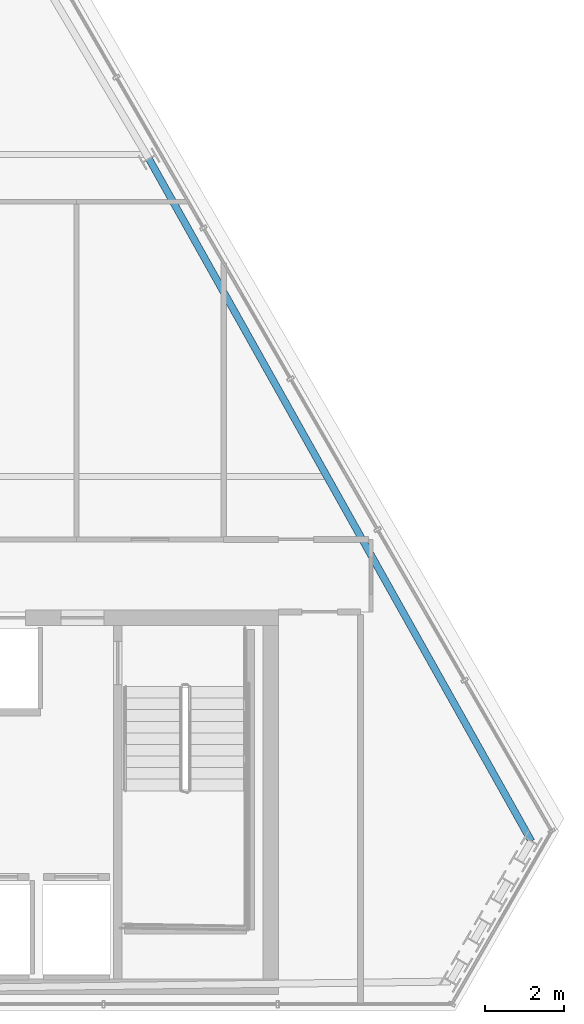
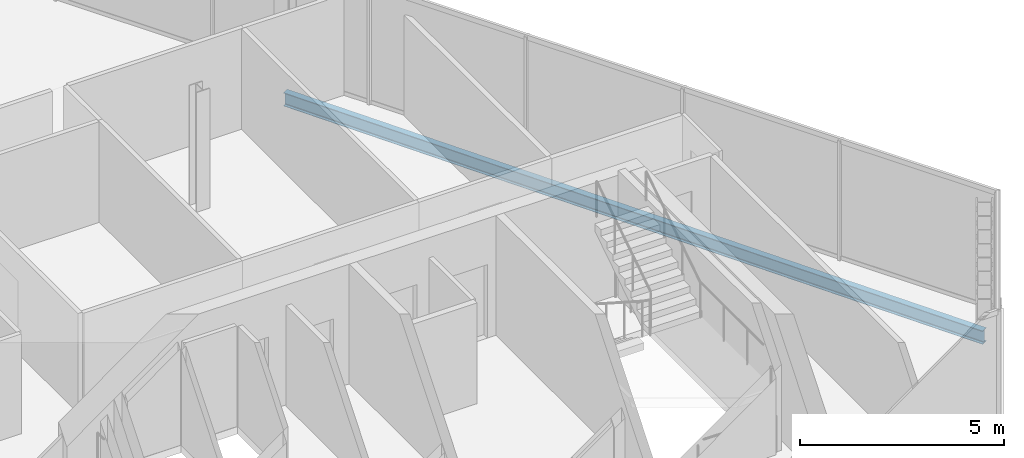
# One storey, part 24 of 35: 1 beam.
"""IFC4 building model written with IfcOpenShell, lengths in metres."""

from ifc_helpers import new_model, si_unit, direction, frame, origin, origin_2d, place, context, subcontext, project, spatial, i_section, extrude, material, material_profile, profile_set, type_object, element, save


model = new_model("IFC4")

# Units and contexts
model_context = context("Model", 3, precision=1e-05, world=origin(), true_north=direction((0.0, 1.0)))
body_context = subcontext(model_context, "Body", "Model", "MODEL_VIEW")
ifc_project = project(units=[si_unit("LENGTHUNIT", "METRE"), si_unit("AREAUNIT", "SQUARE_METRE"), si_unit("VOLUMEUNIT", "CUBIC_METRE"), si_unit("PLANEANGLEUNIT", "RADIAN"), si_unit("MASSUNIT", "GRAM", prefix="KILO")], contexts=[model_context])

# Site, building, storey
site_placement = place(None, origin())
site = spatial("IfcSite", under=ifc_project, at=site_placement, CompositionType="ELEMENT")
building_placement = place(site_placement, origin())
building = spatial("IfcBuilding", under=site, at=building_placement, Name="Ndaravel Arena Tower", CompositionType="ELEMENT")
storey_placement = place(building_placement, frame((0.0, 0.0, 271.199951171875)))
storey = spatial("IfcBuildingStorey", under=building, at=storey_placement, Name="L66", CompositionType="ELEMENT", Elevation=271.199951171875)

# Beam
ifc_material = material(Name="Steel S355", Category="steel")
ifc_material_profile = material_profile(ifc_material, i_section(OverallWidth=0.179931640625, OverallDepth=0.39990234375, WebThickness=0.008544921875, FlangeThickness=0.013427734375, FilletRadius=0.02099609375, at=origin_2d()), Name="IPE 400")
ifc_profile_set = profile_set([ifc_material_profile], Name="Steel S355")
beam_type = type_object("IfcBeamType", Name="BM-SPAN-IPE400", PredefinedType="SPANDREL", material=ifc_profile_set)
beam_placement = place(storey_placement, frame((63.98681640625, 9.312255859375, -0.419921875), z_axis=(-0.488846264498, 0.872369950013, 0.0), x_axis=(-0.872369950013, -0.488846264498, 0.0)))
element("IfcBeam", 1, at=beam_placement, inside=storey, type_object=beam_type, Name="L66 Perimeter Spandrel Beam SP-09", PredefinedType="SPANDREL", context=body_context, shape_type="SweptSolid", body=[
    extrude(i_section(OverallWidth=0.179931640625, OverallDepth=0.39990234375, WebThickness=0.008544921875, FlangeThickness=0.013427734375, FilletRadius=0.02099609375, at=origin_2d()), origin(), (0.0, 0.0, 1.0), 19.92333984375),
])

save(model, "model.ifc")
